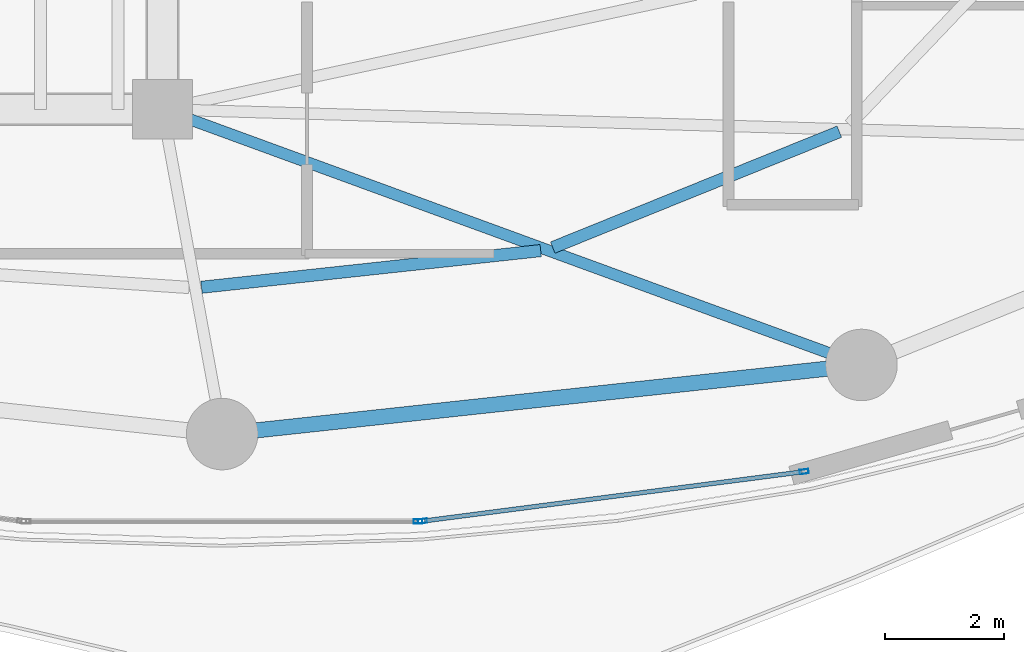
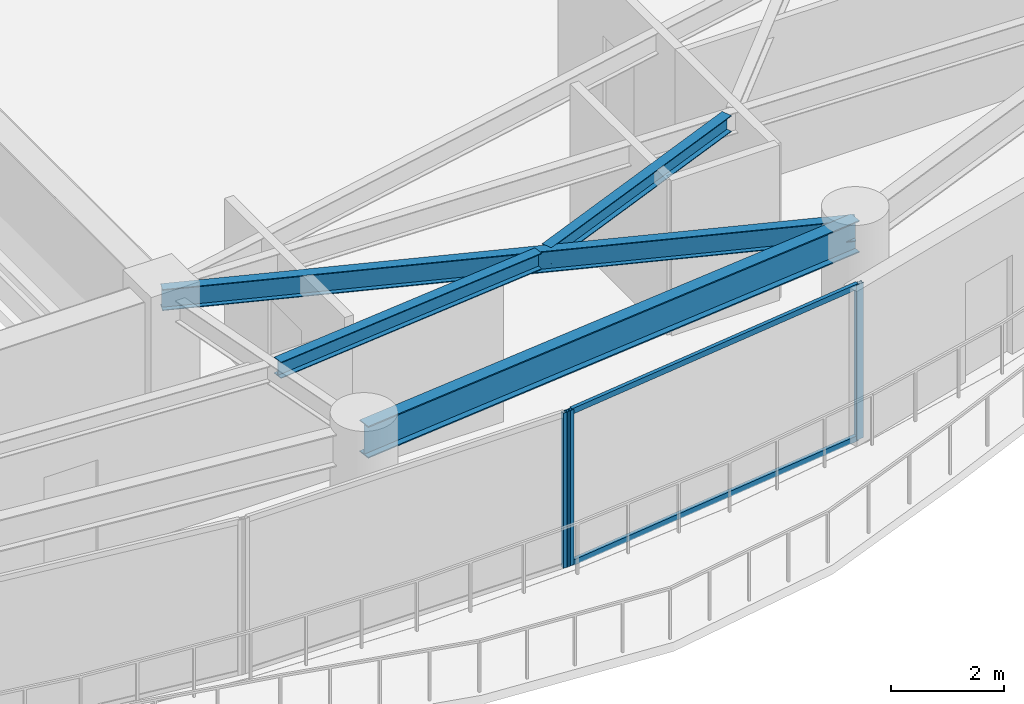
# One storey, part 9 of 30: 5 members, 4 beams, 2 elements without a shape of their own.
"""IFC4 building model written with IfcOpenShell, lengths in metres."""

from ifc_helpers import new_model, si_unit, direction, frame, origin, origin_2d, place, context, subcontext, project, spatial, hollow_rectangle, i_section, extrude, material, layer, layer_set, material_profile, profile_set, type_object, element, aggregate, save


model = new_model("IFC4")

# Units and contexts
model_context = context("Model", 3, precision=1e-05, world=origin(), true_north=direction((0.0, 1.0)))
body_context = subcontext(model_context, "Body", "Model", "MODEL_VIEW")
ifc_project = project(units=[si_unit("LENGTHUNIT", "METRE"), si_unit("AREAUNIT", "SQUARE_METRE"), si_unit("VOLUMEUNIT", "CUBIC_METRE"), si_unit("PLANEANGLEUNIT", "RADIAN"), si_unit("MASSUNIT", "GRAM", prefix="KILO")], contexts=[model_context])

# Site, building, storey
site_placement = place(None, origin())
site = spatial("IfcSite", under=ifc_project, at=site_placement, CompositionType="ELEMENT")
building_placement = place(site_placement, origin())
building = spatial("IfcBuilding", under=site, at=building_placement, Name="Kazevale Care Tower and Concert Hall", CompositionType="ELEMENT")
storey_placement = place(building_placement, frame((0.0, 0.0, 127.800048828125)))
storey = spatial("IfcBuildingStorey", under=building, at=storey_placement, Name="L33", CompositionType="ELEMENT", Elevation=127.800048828125)

# Curtain wall, members
ifc_material_1 = material(Name="Aluminium 6063-T6 and Low-E Glass", Category="aluminium")
ifc_layer = layer(ifc_material_1, 0.179931640625)
ifc_layer_set = layer_set([ifc_layer], Name="Aluminium 6063-T6 and Low-E Glass")
curtain_wall_type = type_object("IfcCurtainWallType", Name="Sheltered Concave Balcony Curtain Wall CW-5", PredefinedType="NOTDEFINED", material=ifc_layer_set)
curtain_wall_1_placement = place(storey_placement, origin())
curtain_wall_1 = element("IfcCurtainWall", 1, at=curtain_wall_1_placement, inside=storey, type_object=curtain_wall_type, Name="cw:L33:f05", PredefinedType="NOTDEFINED")
ifc_material_2 = material(Name="Aluminium 6063-T6", Category="aluminium")
ifc_material_profile_1 = material_profile(ifc_material_2, hollow_rectangle(XDim=0.074951171875, YDim=0.14990234375, WallThickness=0.00390625, at=origin_2d()), Name="ALU75x150x4")
ifc_profile_set_1 = profile_set([ifc_material_profile_1], Name="Aluminium 6063-T6")
member_type_1 = type_object("IfcMemberType", Name="CW-5 Mullion ALU75x150x4", PredefinedType="MULLION", material=ifc_profile_set_1)
member_1_placement = place(storey_placement, frame((54.768798828125, 17.520263671875, 0.0), z_axis=(0.0, 0.0, 1.0), x_axis=(0.12868500567, -0.991685519364, 0.0)))
member_1 = element("IfcMember", 2, at=member_1_placement, type_object=member_type_1, Name="CW-5 mullion 1", PredefinedType="MULLION", context=body_context, shape_type="SweptSolid", body=[
    extrude(hollow_rectangle(XDim=0.074951171875, YDim=0.14990234375, WallThickness=0.00390625, at=origin_2d()), origin(), (0.0, 0.0, 1.0), 3.35986328125),
])
member_2_placement = place(storey_placement, frame((48.3623046875, 16.688720703125, 0.0), z_axis=(0.0, 0.0, 1.0), x_axis=(0.12868500567, -0.991685519364, 0.0)))
member_2 = element("IfcMember", 3, at=member_2_placement, type_object=member_type_1, Name="CW-5 mullion 2", PredefinedType="MULLION", context=body_context, shape_type="SweptSolid", body=[
    extrude(hollow_rectangle(XDim=0.074951171875, YDim=0.14990234375, WallThickness=0.00390625, at=origin_2d()), origin(), (0.0, 0.0, 1.0), 3.35986328125),
])

# Curtain wall, member
curtain_wall_2_placement = place(storey_placement, origin())
curtain_wall_2 = element("IfcCurtainWall", 4, at=curtain_wall_2_placement, inside=storey, type_object=curtain_wall_type, Name="cw:L33:f06", PredefinedType="NOTDEFINED")
member_3_placement = place(storey_placement, frame((48.28759765625, 16.68408203125, 0.0), z_axis=(0.0, 0.0, 1.0), x_axis=(0.0, -1.0, 0.0)))
member_3 = element("IfcMember", 5, at=member_3_placement, type_object=member_type_1, Name="CW-5 mullion 1", PredefinedType="MULLION", context=body_context, shape_type="SweptSolid", body=[
    extrude(hollow_rectangle(XDim=0.074951171875, YDim=0.14990234375, WallThickness=0.00390625, at=origin_2d()), origin(), (0.0, 0.0, 1.0), 3.35986328125),
])
aggregate(curtain_wall_2, [member_3])

# Member
ifc_material_profile_2 = material_profile(ifc_material_2, hollow_rectangle(XDim=0.074951171875, YDim=0.1201171875, WallThickness=0.00390625, at=origin_2d()), Name="ALU75x120x4")
ifc_profile_set_2 = profile_set([ifc_material_profile_2], Name="Aluminium 6063-T6")
member_type_2 = type_object("IfcMemberType", Name="CW-5 Transom ALU75x120x4", PredefinedType="USERDEFINED", material=ifc_profile_set_2)
member_4_placement = place(storey_placement, frame((54.731689453125, 17.515380859375, 0.037353515625), z_axis=(-0.991683991743, -0.12869677743, 0.0), x_axis=(0.12869677743, -0.991683991743, 0.0)))
member_4 = element("IfcMember", 6, at=member_4_placement, type_object=member_type_2, Name="CW-5 transom 1.1", ObjectType="TRANSOM", PredefinedType="USERDEFINED", context=body_context, shape_type="SweptSolid", body=[
    extrude(hollow_rectangle(XDim=0.074951171875, YDim=0.1201171875, WallThickness=0.00390625, at=origin_2d()), origin(), (0.0, 0.0, 1.0), 6.385498046875),
])

member_5_placement = place(storey_placement, frame((54.731689453125, 17.515380859375, 3.322509765625), z_axis=(-0.991683991743, -0.12869677743, 0.0), x_axis=(0.12869677743, -0.991683991743, 0.0)))
member_5 = element("IfcMember", 7, at=member_5_placement, type_object=member_type_2, Name="CW-5 transom 1.2", ObjectType="TRANSOM", PredefinedType="USERDEFINED", context=body_context, shape_type="SweptSolid", body=[
    extrude(hollow_rectangle(XDim=0.074951171875, YDim=0.1201171875, WallThickness=0.00390625, at=origin_2d()), origin(), (0.0, 0.0, 1.0), 6.385498046875),
])

aggregate(curtain_wall_1, [member_1, member_2, member_4, member_5])

# Beams
ifc_material_3 = material(Name="Steel ASTM A572 Gr 50", Category="steel")
ifc_material_profile_3 = material_profile(ifc_material_3, i_section(OverallWidth=0.19091796875, OverallDepth=0.4599609375, WebThickness=0.010009765625, FlangeThickness=0.01611328125, at=origin_2d()), Name="W460x82")
ifc_profile_set_3 = profile_set([ifc_material_profile_3], Name="Steel ASTM A572 Gr 50")
beam_type_1 = type_object("IfcBeamType", Name="Radial Floor Beam W460x82", PredefinedType="BEAM", material=ifc_profile_set_3)
beam_1_placement = place(storey_placement, frame((44.0, 23.60009765625, 3.1298828125), z_axis=(0.939159459123, -0.343481455599, 0.0), x_axis=(0.343481455599, 0.939159459123, 0.0)))
element("IfcBeam", 8, at=beam_1_placement, inside=storey, type_object=beam_type_1, Name="beam:L33:rad:14", PredefinedType="BEAM", context=body_context, shape_type="SweptSolid", body=[
    extrude(i_section(OverallWidth=0.19091796875, OverallDepth=0.4599609375, WebThickness=0.010009765625, FlangeThickness=0.01611328125, at=origin_2d()), origin(), (0.0, 0.0, 1.0), 12.489990234375),
])
ifc_material_profile_4 = material_profile(ifc_material_3, i_section(OverallWidth=0.205078125, OverallDepth=0.35400390625, WebThickness=0.009521484375, FlangeThickness=0.016845703125, at=origin_2d()), Name="W360x79")
ifc_profile_set_4 = profile_set([ifc_material_profile_4], Name="Steel ASTM A572 Gr 50")
beam_type_2 = type_object("IfcBeamType", Name="Secondary Floor Joist W360x79", PredefinedType="JOIST", material=ifc_profile_set_4)
beam_2_placement = place(storey_placement, frame((44.654052734375, 20.614013671875, 3.182861328125), z_axis=(0.994215541126, 0.107403248482, 0.0), x_axis=(-0.107403248482, 0.994215541126, 0.0)))
element("IfcBeam", 9, at=beam_2_placement, inside=storey, type_object=beam_type_2, Name="beam:L33:joist:13", PredefinedType="JOIST", context=body_context, shape_type="SweptSolid", body=[
    extrude(i_section(OverallWidth=0.205078125, OverallDepth=0.35400390625, WebThickness=0.009521484375, FlangeThickness=0.016845703125, at=origin_2d()), origin(), (0.0, 0.0, 1.0), 5.72607421875),
])
beam_3_placement = place(storey_placement, frame((50.549072265625, 21.280029296875, 3.182861328125), z_axis=(0.927064833216, 0.374901046964, 0.0), x_axis=(-0.374901046964, 0.927064833216, 0.0)))
element("IfcBeam", 10, at=beam_3_placement, inside=storey, type_object=beam_type_2, Name="beam:L33:joist:14", PredefinedType="JOIST", context=body_context, shape_type="SweptSolid", body=[
    extrude(i_section(OverallWidth=0.205078125, OverallDepth=0.35400390625, WebThickness=0.009521484375, FlangeThickness=0.016845703125, at=origin_2d()), origin(), (0.0, 0.0, 1.0), 5.188232421875),
])
ifc_material_profile_5 = material_profile(ifc_material_3, i_section(OverallWidth=0.256103515625, OverallDepth=0.693115234375, WebThickness=0.014404296875, FlangeThickness=0.023681640625, at=origin_2d()), Name="W690x170")
ifc_profile_set_5 = profile_set([ifc_material_profile_5], Name="Steel ASTM A572 Gr 50")
beam_type_3 = type_object("IfcBeamType", Name="Waist Ring Beam W690x170", PredefinedType="BEAM", material=ifc_profile_set_5)
beam_4_placement = place(storey_placement, frame((45.0, 18.14990234375, 3.013427734375), z_axis=(0.994205479487, 0.107496346724, 0.0), x_axis=(-0.107496346724, 0.994205479487, 0.0)))
element("IfcBeam", 11, at=beam_4_placement, inside=storey, type_object=beam_type_3, Name="beam:L33:ring:13", PredefinedType="BEAM", context=body_context, shape_type="SweptSolid", body=[
    extrude(i_section(OverallWidth=0.256103515625, OverallDepth=0.693115234375, WebThickness=0.014404296875, FlangeThickness=0.023681640625, at=origin_2d()), origin(), (0.0, 0.0, 1.0), 10.79248046875),
])

save(model, "model.ifc")
